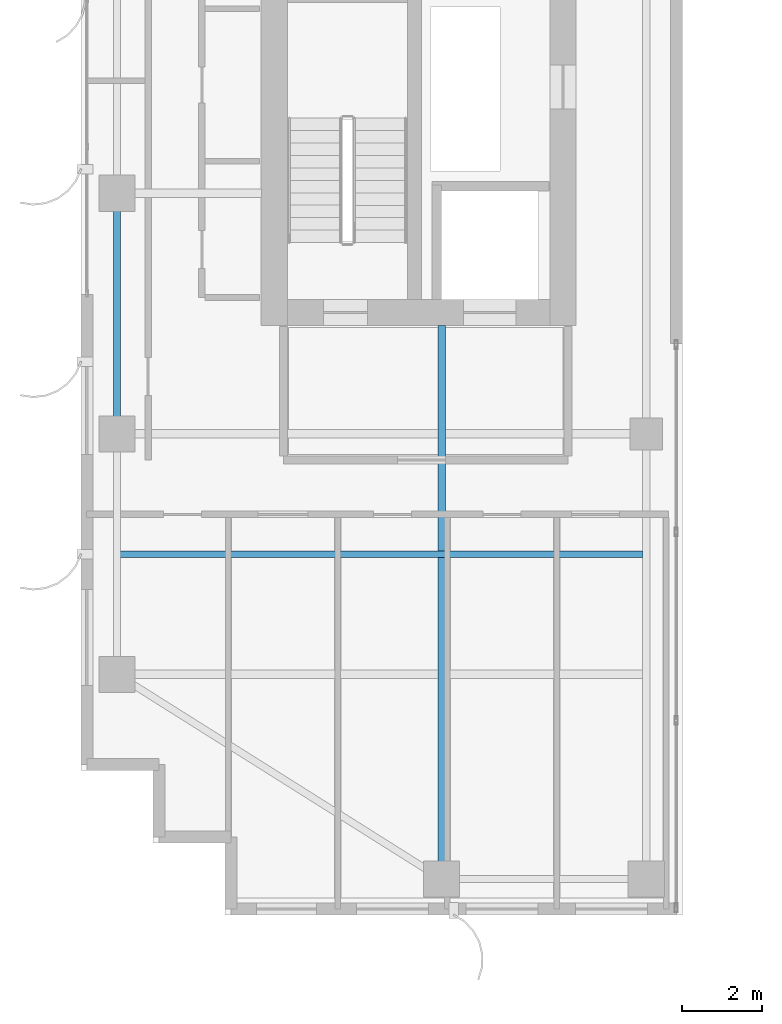
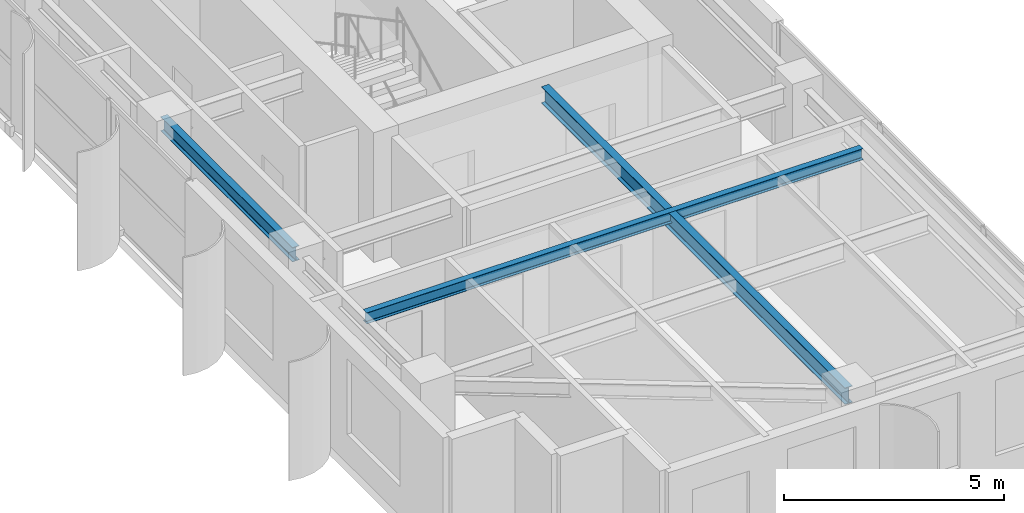
# One storey, part 3 of 22: 3 beams.
"""IFC4 building model written with IfcOpenShell, lengths in metres."""

import ifcopenshell
import ifcopenshell.guid

model = None  # the IFC model being written
_history = None  # IfcOwnerHistory: only IFC2X3 demands one
_inside = {}  # id of a spatial element -> (the spatial element, [elements in it])
_under = {}  # id of a project, library or spatial element -> (it, [spatial elements below it])
_declared = {}  # id of a project -> (the project, [libraries it declares])
_typed = {}  # id of a type object -> (the type object, [elements of that type])
_made_of = {}  # id of a material, layer set ... -> (it, [elements and type objects made of it])


def new_model(schema):
    """Start an empty IFC model of exactly this schema.

    Asked for "IFC4X3", IfcOpenShell would pick the latest addendum, in which some entities
    have other attributes; the version numbers below select the first issue.
    IFC2X3 requires an IfcOwnerHistory on every rooted entity: one is made here for all.
    """
    global model, _history
    if schema == "IFC4X3":
        model = ifcopenshell.file(schema_version=(4, 3, 0, 0))
    else:
        model = ifcopenshell.file(schema=schema)
    _inside.clear()
    _under.clear()
    _declared.clear()
    _typed.clear()
    _made_of.clear()
    _history = None
    if model.schema == "IFC2X3":
        org = make("IfcOrganization", Name="unknown")
        user = make(
            "IfcPersonAndOrganization",
            ThePerson=make("IfcPerson", FamilyName="unknown"),
            TheOrganization=org,
        )
        app = make(
            "IfcApplication",
            ApplicationDeveloper=org,
            Version="unknown",
            ApplicationFullName="unknown",
            ApplicationIdentifier="unknown",
        )
        _history = make(
            "IfcOwnerHistory",
            OwningUser=user,
            OwningApplication=app,
            ChangeAction="ADDED",
            CreationDate=0,
        )
    return model


def make(cls, **values):
    """One entity of the class cls with the attributes given. An attribute that is None is left unset."""
    return model.create_entity(
        cls, **{name: value for name, value in values.items() if value is not None}
    )


def rooted(cls, **values):
    """An entity with a GlobalId (a new one), such as an element, a storey or a relation."""
    return make(cls, GlobalId=ifcopenshell.guid.new(), OwnerHistory=_history, **values)


def si_unit(unit_type, name, prefix=None):
    """IfcSIUnit, for example si_unit("LENGTHUNIT", "METRE", prefix="MILLI")."""
    return make("IfcSIUnit", UnitType=unit_type, Prefix=prefix, Name=name)


def assignment(units):
    """IfcUnitAssignment: the units of a project."""
    return None if units is None else make("IfcUnitAssignment", Units=units)


def point(xyz):
    """IfcCartesianPoint."""
    return None if xyz is None else make("IfcCartesianPoint", Coordinates=xyz)


def direction(xyz):
    """IfcDirection."""
    return None if xyz is None else make("IfcDirection", DirectionRatios=xyz)


def frame(location, z_axis=None, x_axis=None):
    """IfcAxis2Placement3D, a coordinate frame: its origin and axes. An axis left out is left unset."""
    return make(
        "IfcAxis2Placement3D",
        Location=point(location),
        Axis=direction(z_axis),
        RefDirection=direction(x_axis),
    )


def frame_2d(location, x_axis=None):
    """IfcAxis2Placement2D, a coordinate frame in the plane: its origin and x axis."""
    return make(
        "IfcAxis2Placement2D", Location=point(location), RefDirection=direction(x_axis)
    )


def origin():
    """The frame at (0, 0, 0) with its axes left unset."""
    return frame((0.0, 0.0, 0.0))


def origin_2d():
    """The frame at (0, 0) in the plane with its x axis left unset."""
    return frame_2d((0.0, 0.0))


def place(relative_to, where):
    """IfcLocalPlacement: puts the frame where relative to a parent placement (None: the world)."""
    return make(
        "IfcLocalPlacement", PlacementRelTo=relative_to, RelativePlacement=where
    )


def context(
    kind, dimensions, precision=None, world=None, true_north=None, identifier=None
):
    """IfcGeometricRepresentationContext, for example the 3D "Model" context."""
    return make(
        "IfcGeometricRepresentationContext",
        ContextIdentifier=identifier,
        ContextType=kind,
        CoordinateSpaceDimension=dimensions,
        Precision=precision,
        WorldCoordinateSystem=world,
        TrueNorth=true_north,
    )


def subcontext(parent, identifier, kind, view, scale=None):
    """IfcGeometricRepresentationSubContext, for example "Body" below "Model"."""
    return make(
        "IfcGeometricRepresentationSubContext",
        ContextIdentifier=identifier,
        ContextType=kind,
        ParentContext=parent,
        TargetScale=scale,
        TargetView=view,
    )


def project(units=None, contexts=None):
    """IfcProject with its units and contexts."""
    return rooted(
        "IfcProject",
        Name="project",
        RepresentationContexts=contexts,
        UnitsInContext=assignment(units),
    )


def spatial(cls, under=None, at=None, **own):
    """A site, building, storey or space (cls), placed at a placement, below another one or the project."""
    s = rooted(cls, ObjectPlacement=at, **own)
    if under is not None:
        _under.setdefault(under.id(), (under, []))[1].append(s)
    return s


def profile(cls, at=None, kind="AREA", **sizes):
    """A parametric profile (cls). Its sizes go by their IFC names, for example OverallWidth=200.0."""
    return make(cls, ProfileType=kind, Position=at, **sizes)


def i_section(**sizes):
    """IfcIShapeProfileDef."""
    return profile("IfcIShapeProfileDef", **sizes)


def extrude(swept, where, along, depth):
    """IfcExtrudedAreaSolid: the profile swept, set in the frame where, extruded along a direction by depth."""
    return make(
        "IfcExtrudedAreaSolid",
        SweptArea=swept,
        Position=where,
        ExtrudedDirection=direction(along),
        Depth=depth,
    )


def shape(context_of_items, identifier, shape_type, items):
    """IfcShapeRepresentation: the items that make up one representation, for example the "Body"."""
    return make(
        "IfcShapeRepresentation",
        ContextOfItems=context_of_items,
        RepresentationIdentifier=identifier,
        RepresentationType=shape_type,
        Items=items,
    )


def source(mapping_origin, context_of_items, identifier, shape_type, items):
    """IfcRepresentationMap: a shape defined once, which mapped items show again and again."""
    return make(
        "IfcRepresentationMap",
        MappingOrigin=mapping_origin,
        MappedRepresentation=shape(context_of_items, identifier, shape_type, items),
    )


def transform(
    local_origin,
    x_axis=None,
    y_axis=None,
    z_axis=None,
    scale=None,
    scale2=None,
    scale3=None,
    uniform=True,
):
    """IfcCartesianTransformationOperator3D, or its non-uniform kind. x_axis, y_axis, z_axis: its Axis1, 2, 3."""
    if uniform:
        return make(
            "IfcCartesianTransformationOperator3D",
            Axis1=direction(x_axis),
            Axis2=direction(y_axis),
            LocalOrigin=point(local_origin),
            Scale=scale,
            Axis3=direction(z_axis),
        )
    return make(
        "IfcCartesianTransformationOperator3DnonUniform",
        Axis1=direction(x_axis),
        Axis2=direction(y_axis),
        LocalOrigin=point(local_origin),
        Scale=scale,
        Axis3=direction(z_axis),
        Scale2=scale2,
        Scale3=scale3,
    )


def mapped(mapping_source, mapping_target):
    """IfcMappedItem: shows the shape of a source again, moved by a transform."""
    return make(
        "IfcMappedItem", MappingSource=mapping_source, MappingTarget=mapping_target
    )


def material(Name=None, Category=None):
    """IfcMaterial."""
    return make("IfcMaterial", Name=Name, Category=Category)


def material_profile(
    of_material, cross_section, Name=None, Category=None, Priority=None
):
    """IfcMaterialProfile: a cross section and its material."""
    return make(
        "IfcMaterialProfile",
        Name=Name,
        Material=of_material,
        Profile=cross_section,
        Priority=Priority,
        Category=Category,
    )


def profile_set(profiles, Name=None, composite=None):
    """IfcMaterialProfileSet."""
    return make(
        "IfcMaterialProfileSet",
        Name=Name,
        MaterialProfiles=profiles,
        CompositeProfile=composite,
    )


def made_of(thing, what):
    """Note that an element or type object is made of a material, layer set ...; save() writes the relation."""
    if what is not None:
        _made_of.setdefault(what.id(), (what, []))[1].append(thing)
    return thing


def type_object(cls, material=None, **own):
    """A type object (cls), such as IfcWallType, which elements share."""
    return made_of(rooted(cls, **own), material)


def element(
    cls,
    number,
    at=None,
    inside=None,
    cuts=None,
    type_object=None,
    material=None,
    context=None,
    identifier="Body",
    shape_type=None,
    held_by="IfcProductDefinitionShape",
    body=None,
    shapes=None,
    **own,
):
    """One element of the class cls, such as IfcWall. Its Tag is "e" and its number.

    at: its placement. inside: the storey or other place that contains it. cuts: it is an
    opening in that element (IfcRelVoidsElement). A single representation is given by context,
    identifier, shape_type and body (its items); several are given by shapes. held_by: the class
    of the entity that holds the representations. save() writes the other relations.
    """
    e = rooted(cls, Tag="e%d" % number, ObjectPlacement=at, **own)
    if body is not None:
        shapes = [shape(context, identifier, shape_type, body)]
    if shapes is not None:
        e.Representation = make(held_by, Representations=shapes)
    if inside is not None:
        _inside.setdefault(inside.id(), (inside, []))[1].append(e)
    if cuts is not None:
        rooted(
            "IfcRelVoidsElement", RelatingBuildingElement=cuts, RelatedOpeningElement=e
        )
    if type_object is not None:
        _typed.setdefault(type_object.id(), (type_object, []))[1].append(e)
    return made_of(e, material)


def aggregate(whole, parts):
    """IfcRelAggregates: a whole, such as a stair, and the parts it consists of."""
    return rooted("IfcRelAggregates", RelatingObject=whole, RelatedObjects=parts)


def save(model, path):
    """Write the relations noted so far, then the file.

    IfcRelAggregates (storeys below a building ...), IfcRelContainedInSpatialStructure (elements
    in a storey), IfcRelDefinesByType, IfcRelAssociatesMaterial and IfcRelDeclares: one each for
    every whole, place, type object, material and project.
    """
    for whole, parts in _under.values():
        aggregate(whole, parts)
    for where, things in _inside.values():
        rooted(
            "IfcRelContainedInSpatialStructure",
            RelatedElements=things,
            RelatingStructure=where,
        )
    for kind, things in _typed.values():
        rooted("IfcRelDefinesByType", RelatedObjects=things, RelatingType=kind)
    for what, things in _made_of.values():
        rooted("IfcRelAssociatesMaterial", RelatedObjects=things, RelatingMaterial=what)
    for by, libraries in _declared.values():
        rooted("IfcRelDeclares", RelatingContext=by, RelatedDefinitions=libraries)
    model.write(path)


model = new_model("IFC4")

# Units and contexts
model_context = context("Model", 3, precision=1e-05, world=origin(), true_north=direction((0.0, 1.0)))
body_context = subcontext(model_context, "Body", "Model", "MODEL_VIEW")
ifc_project = project(units=[si_unit("LENGTHUNIT", "METRE"), si_unit("AREAUNIT", "SQUARE_METRE"), si_unit("VOLUMEUNIT", "CUBIC_METRE"), si_unit("PLANEANGLEUNIT", "RADIAN"), si_unit("MASSUNIT", "GRAM", prefix="KILO")], contexts=[model_context])

# Site, building, storey
site_placement = place(None, origin())
site = spatial("IfcSite", under=ifc_project, at=site_placement, CompositionType="ELEMENT")
building_placement = place(site_placement, origin())
building = spatial("IfcBuilding", under=site, at=building_placement, Name="Khoralis Quay Care Tower", CompositionType="ELEMENT")
storey_placement = place(building_placement, frame((0.0, 0.0, 191.699951171875)))
storey = spatial("IfcBuildingStorey", under=building, at=storey_placement, Name="L50", CompositionType="ELEMENT", Elevation=191.699951171875)

# Beams
ifc_material = material(Name="Steel S355", Category="steel")
ifc_material_profile_1 = material_profile(ifc_material, i_section(OverallWidth=0.179931640625, OverallDepth=0.39990234375, WebThickness=0.008544921875, FlangeThickness=0.013427734375, FilletRadius=0.02099609375, at=origin_2d()), Name="Steel S355")
ifc_profile_set_1 = profile_set([ifc_material_profile_1], Name="Steel S355")
beam_type_1 = type_object("IfcBeamType", Name="BM-IPE400", PredefinedType="SPANDREL", material=ifc_profile_set_1)
shared_shape_1 = source(origin(), body_context, "Body", "SweptSolid", [
    extrude(i_section(OverallWidth=0.179931640625, OverallDepth=0.39990234375, WebThickness=0.008544921875, FlangeThickness=0.013427734375, FilletRadius=0.02099609375, at=origin_2d()), origin(), (0.0, 0.0, 1.0), 6.0),
])
beam_1_placement = place(storey_placement, frame((3.89990234375, 12.0, 3.14013671875), z_axis=(0.0, 1.0, 0.0), x_axis=(-1.0, 0.0, 0.0)))
element("IfcBeam", 1, at=beam_1_placement, inside=storey, type_object=beam_type_1, Name="BM-TSP-L50-06", PredefinedType="SPANDREL", context=body_context, shape_type="MappedRepresentation", body=[
    mapped(shared_shape_1, transform((0.0, 0.0, 0.0), scale=1.0)),
])
ifc_material_profile_2 = material_profile(ifc_material, i_section(OverallWidth=0.19189453125, OverallDepth=0.462890625, WebThickness=0.010498046875, FlangeThickness=0.017578125, FilletRadius=0.014892578125, at=origin_2d()), Name="Steel S355")
ifc_profile_set_2 = profile_set([ifc_material_profile_2], Name="Steel S355")
beam_type_2 = type_object("IfcBeamType", Name="BM-W460X89", PredefinedType="BEAM", material=ifc_profile_set_2)
shared_shape_2 = source(origin(), body_context, "Body", "SweptSolid", [
    extrude(i_section(OverallWidth=0.19189453125, OverallDepth=0.462890625, WebThickness=0.010498046875, FlangeThickness=0.017578125, FilletRadius=0.014892578125, at=origin_2d()), origin(), (0.0, 0.0, 1.0), 13.802001953125),
])
beam_2_placement = place(storey_placement, frame((12.0, 0.89990234375, 3.108642578125), z_axis=(0.0, 1.0, 0.0), x_axis=(-1.0, 0.0, 0.0)))
element("IfcBeam", 2, at=beam_2_placement, inside=storey, type_object=beam_type_2, Name="BM-TGYS-L50-120", PredefinedType="BEAM", context=body_context, shape_type="MappedRepresentation", body=[
    mapped(shared_shape_2, transform((0.0, 0.0, 0.0), scale=1.0)),
])
ifc_material_profile_3 = material_profile(ifc_material, i_section(OverallWidth=0.1650390625, OverallDepth=0.31005859375, WebThickness=0.005859375, FlangeThickness=0.009765625, FilletRadius=0.011962890625, at=origin_2d()), Name="Steel S355")
ifc_profile_set_3 = profile_set([ifc_material_profile_3], Name="Steel S355")
beam_type_3 = type_object("IfcBeamType", Name="BM-W310X39", PredefinedType="JOIST", material=ifc_profile_set_3)
shared_shape_3 = source(origin(), body_context, "Body", "SweptSolid", [
    extrude(i_section(OverallWidth=0.1650390625, OverallDepth=0.31005859375, WebThickness=0.005859375, FlangeThickness=0.009765625, FilletRadius=0.011962890625, at=origin_2d()), origin(), (0.0, 0.0, 1.0), 13.0400390625),
])
beam_3_placement = place(storey_placement, frame((3.97607421875, 9.0, 3.18505859375), z_axis=(1.0, 0.0, 0.0), x_axis=(0.0, 1.0, 0.0)))
element("IfcBeam", 3, at=beam_3_placement, inside=storey, type_object=beam_type_3, Name="BM-TJS-L50-19", PredefinedType="JOIST", context=body_context, shape_type="MappedRepresentation", body=[
    mapped(shared_shape_3, transform((0.0, 0.0, 0.0), scale=1.0)),
])

save(model, "model.ifc")
